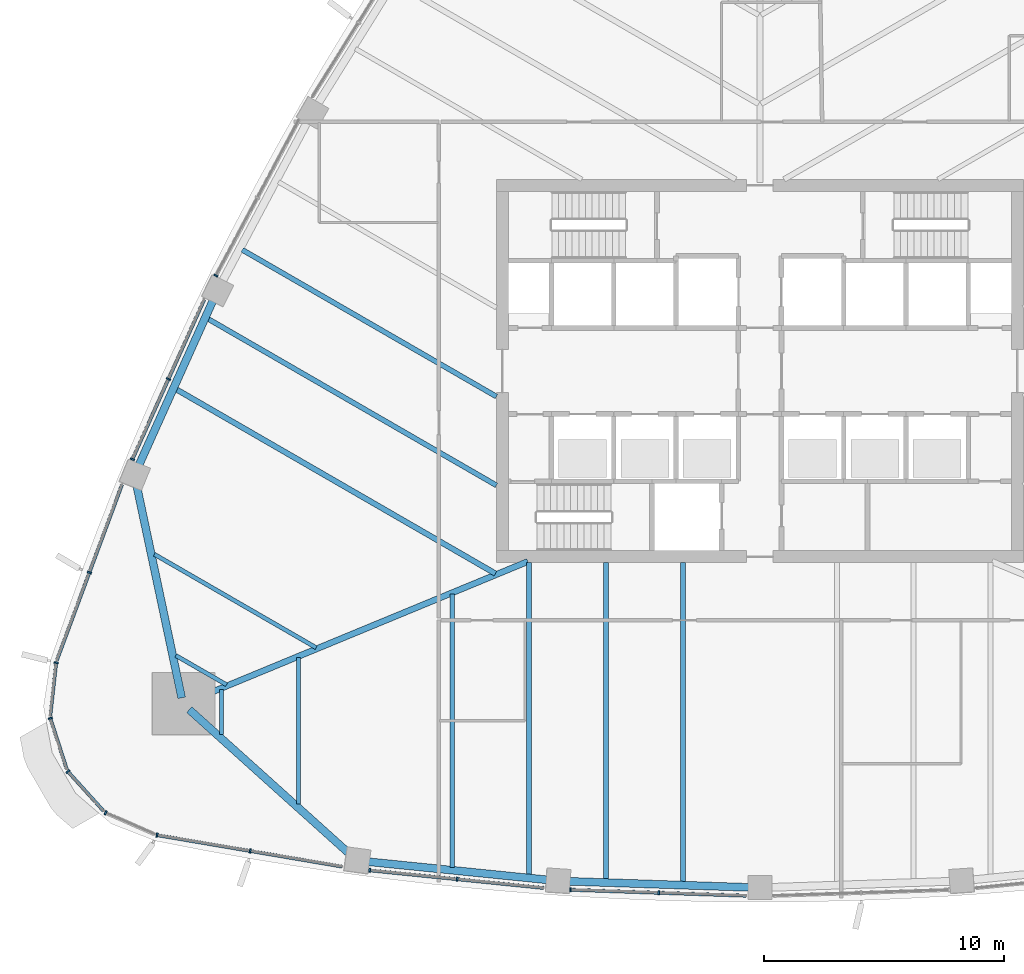
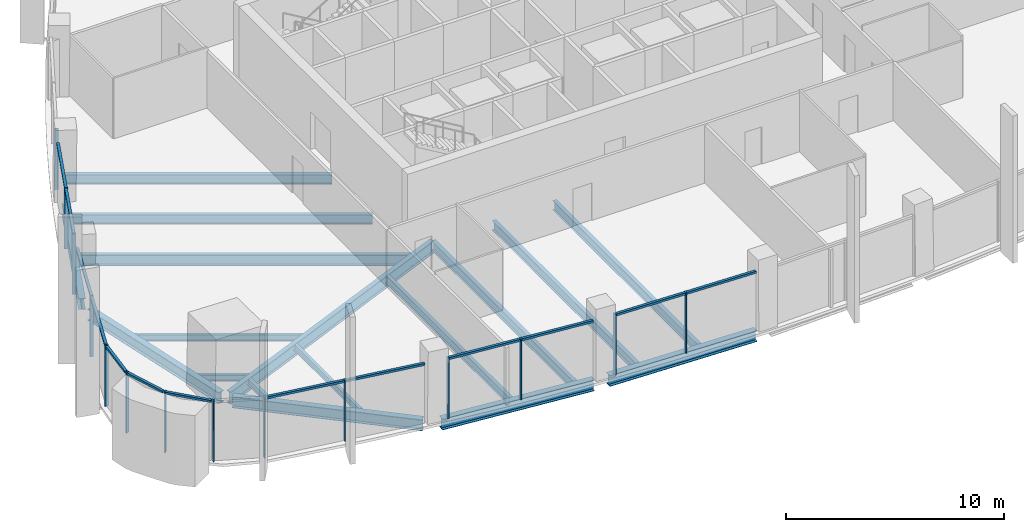
# One storey, part 2 of 20: 27 members, 17 beams, 10 elements without a shape of their own.
"""IFC4 building model written with IfcOpenShell, lengths in metres."""

import ifcopenshell
import ifcopenshell.guid

model = None  # the IFC model being written
_history = None  # IfcOwnerHistory: only IFC2X3 demands one
_inside = {}  # id of a spatial element -> (the spatial element, [elements in it])
_under = {}  # id of a project, library or spatial element -> (it, [spatial elements below it])
_declared = {}  # id of a project -> (the project, [libraries it declares])
_typed = {}  # id of a type object -> (the type object, [elements of that type])
_made_of = {}  # id of a material, layer set ... -> (it, [elements and type objects made of it])


def new_model(schema):
    """Start an empty IFC model of exactly this schema.

    Asked for "IFC4X3", IfcOpenShell would pick the latest addendum, in which some entities
    have other attributes; the version numbers below select the first issue.
    IFC2X3 requires an IfcOwnerHistory on every rooted entity: one is made here for all.
    """
    global model, _history
    if schema == "IFC4X3":
        model = ifcopenshell.file(schema_version=(4, 3, 0, 0))
    else:
        model = ifcopenshell.file(schema=schema)
    _inside.clear()
    _under.clear()
    _declared.clear()
    _typed.clear()
    _made_of.clear()
    _history = None
    if model.schema == "IFC2X3":
        org = make("IfcOrganization", Name="unknown")
        user = make(
            "IfcPersonAndOrganization",
            ThePerson=make("IfcPerson", FamilyName="unknown"),
            TheOrganization=org,
        )
        app = make(
            "IfcApplication",
            ApplicationDeveloper=org,
            Version="unknown",
            ApplicationFullName="unknown",
            ApplicationIdentifier="unknown",
        )
        _history = make(
            "IfcOwnerHistory",
            OwningUser=user,
            OwningApplication=app,
            ChangeAction="ADDED",
            CreationDate=0,
        )
    return model


def make(cls, **values):
    """One entity of the class cls with the attributes given. An attribute that is None is left unset."""
    return model.create_entity(
        cls, **{name: value for name, value in values.items() if value is not None}
    )


def rooted(cls, **values):
    """An entity with a GlobalId (a new one), such as an element, a storey or a relation."""
    return make(cls, GlobalId=ifcopenshell.guid.new(), OwnerHistory=_history, **values)


def si_unit(unit_type, name, prefix=None):
    """IfcSIUnit, for example si_unit("LENGTHUNIT", "METRE", prefix="MILLI")."""
    return make("IfcSIUnit", UnitType=unit_type, Prefix=prefix, Name=name)


def assignment(units):
    """IfcUnitAssignment: the units of a project."""
    return None if units is None else make("IfcUnitAssignment", Units=units)


def point(xyz):
    """IfcCartesianPoint."""
    return None if xyz is None else make("IfcCartesianPoint", Coordinates=xyz)


def direction(xyz):
    """IfcDirection."""
    return None if xyz is None else make("IfcDirection", DirectionRatios=xyz)


def frame(location, z_axis=None, x_axis=None):
    """IfcAxis2Placement3D, a coordinate frame: its origin and axes. An axis left out is left unset."""
    return make(
        "IfcAxis2Placement3D",
        Location=point(location),
        Axis=direction(z_axis),
        RefDirection=direction(x_axis),
    )


def frame_2d(location, x_axis=None):
    """IfcAxis2Placement2D, a coordinate frame in the plane: its origin and x axis."""
    return make(
        "IfcAxis2Placement2D", Location=point(location), RefDirection=direction(x_axis)
    )


def origin():
    """The frame at (0, 0, 0) with its axes left unset."""
    return frame((0.0, 0.0, 0.0))


def origin_2d():
    """The frame at (0, 0) in the plane with its x axis left unset."""
    return frame_2d((0.0, 0.0))


def place(relative_to, where):
    """IfcLocalPlacement: puts the frame where relative to a parent placement (None: the world)."""
    return make(
        "IfcLocalPlacement", PlacementRelTo=relative_to, RelativePlacement=where
    )


def context(
    kind, dimensions, precision=None, world=None, true_north=None, identifier=None
):
    """IfcGeometricRepresentationContext, for example the 3D "Model" context."""
    return make(
        "IfcGeometricRepresentationContext",
        ContextIdentifier=identifier,
        ContextType=kind,
        CoordinateSpaceDimension=dimensions,
        Precision=precision,
        WorldCoordinateSystem=world,
        TrueNorth=true_north,
    )


def subcontext(parent, identifier, kind, view, scale=None):
    """IfcGeometricRepresentationSubContext, for example "Body" below "Model"."""
    return make(
        "IfcGeometricRepresentationSubContext",
        ContextIdentifier=identifier,
        ContextType=kind,
        ParentContext=parent,
        TargetScale=scale,
        TargetView=view,
    )


def project(units=None, contexts=None):
    """IfcProject with its units and contexts."""
    return rooted(
        "IfcProject",
        Name="project",
        RepresentationContexts=contexts,
        UnitsInContext=assignment(units),
    )


def spatial(cls, under=None, at=None, **own):
    """A site, building, storey or space (cls), placed at a placement, below another one or the project."""
    s = rooted(cls, ObjectPlacement=at, **own)
    if under is not None:
        _under.setdefault(under.id(), (under, []))[1].append(s)
    return s


def profile(cls, at=None, kind="AREA", **sizes):
    """A parametric profile (cls). Its sizes go by their IFC names, for example OverallWidth=200.0."""
    return make(cls, ProfileType=kind, Position=at, **sizes)


def rectangle(**sizes):
    """IfcRectangleProfileDef."""
    return profile("IfcRectangleProfileDef", **sizes)


def i_section(**sizes):
    """IfcIShapeProfileDef."""
    return profile("IfcIShapeProfileDef", **sizes)


def extrude(swept, where, along, depth):
    """IfcExtrudedAreaSolid: the profile swept, set in the frame where, extruded along a direction by depth."""
    return make(
        "IfcExtrudedAreaSolid",
        SweptArea=swept,
        Position=where,
        ExtrudedDirection=direction(along),
        Depth=depth,
    )


def shape(context_of_items, identifier, shape_type, items):
    """IfcShapeRepresentation: the items that make up one representation, for example the "Body"."""
    return make(
        "IfcShapeRepresentation",
        ContextOfItems=context_of_items,
        RepresentationIdentifier=identifier,
        RepresentationType=shape_type,
        Items=items,
    )


def material(Name=None, Category=None):
    """IfcMaterial."""
    return make("IfcMaterial", Name=Name, Category=Category)


def layer(
    of_material, thickness, ventilated=None, Name=None, Category=None, Priority=None
):
    """IfcMaterialLayer: one layer of a wall or slab, of a material (None: an air gap)."""
    return make(
        "IfcMaterialLayer",
        Material=of_material,
        LayerThickness=thickness,
        IsVentilated=ventilated,
        Name=Name,
        Category=Category,
        Priority=Priority,
    )


def layer_set(layers, Name=None):
    """IfcMaterialLayerSet."""
    return make("IfcMaterialLayerSet", MaterialLayers=layers, LayerSetName=Name)


def material_profile(
    of_material, cross_section, Name=None, Category=None, Priority=None
):
    """IfcMaterialProfile: a cross section and its material."""
    return make(
        "IfcMaterialProfile",
        Name=Name,
        Material=of_material,
        Profile=cross_section,
        Priority=Priority,
        Category=Category,
    )


def profile_set(profiles, Name=None, composite=None):
    """IfcMaterialProfileSet."""
    return make(
        "IfcMaterialProfileSet",
        Name=Name,
        MaterialProfiles=profiles,
        CompositeProfile=composite,
    )


def made_of(thing, what):
    """Note that an element or type object is made of a material, layer set ...; save() writes the relation."""
    if what is not None:
        _made_of.setdefault(what.id(), (what, []))[1].append(thing)
    return thing


def type_object(cls, material=None, **own):
    """A type object (cls), such as IfcWallType, which elements share."""
    return made_of(rooted(cls, **own), material)


def element(
    cls,
    number,
    at=None,
    inside=None,
    cuts=None,
    type_object=None,
    material=None,
    context=None,
    identifier="Body",
    shape_type=None,
    held_by="IfcProductDefinitionShape",
    body=None,
    shapes=None,
    **own,
):
    """One element of the class cls, such as IfcWall. Its Tag is "e" and its number.

    at: its placement. inside: the storey or other place that contains it. cuts: it is an
    opening in that element (IfcRelVoidsElement). A single representation is given by context,
    identifier, shape_type and body (its items); several are given by shapes. held_by: the class
    of the entity that holds the representations. save() writes the other relations.
    """
    e = rooted(cls, Tag="e%d" % number, ObjectPlacement=at, **own)
    if body is not None:
        shapes = [shape(context, identifier, shape_type, body)]
    if shapes is not None:
        e.Representation = make(held_by, Representations=shapes)
    if inside is not None:
        _inside.setdefault(inside.id(), (inside, []))[1].append(e)
    if cuts is not None:
        rooted(
            "IfcRelVoidsElement", RelatingBuildingElement=cuts, RelatedOpeningElement=e
        )
    if type_object is not None:
        _typed.setdefault(type_object.id(), (type_object, []))[1].append(e)
    return made_of(e, material)


def aggregate(whole, parts):
    """IfcRelAggregates: a whole, such as a stair, and the parts it consists of."""
    return rooted("IfcRelAggregates", RelatingObject=whole, RelatedObjects=parts)


def save(model, path):
    """Write the relations noted so far, then the file.

    IfcRelAggregates (storeys below a building ...), IfcRelContainedInSpatialStructure (elements
    in a storey), IfcRelDefinesByType, IfcRelAssociatesMaterial and IfcRelDeclares: one each for
    every whole, place, type object, material and project.
    """
    for whole, parts in _under.values():
        aggregate(whole, parts)
    for where, things in _inside.values():
        rooted(
            "IfcRelContainedInSpatialStructure",
            RelatedElements=things,
            RelatingStructure=where,
        )
    for kind, things in _typed.values():
        rooted("IfcRelDefinesByType", RelatedObjects=things, RelatingType=kind)
    for what, things in _made_of.values():
        rooted("IfcRelAssociatesMaterial", RelatedObjects=things, RelatingMaterial=what)
    for by, libraries in _declared.values():
        rooted("IfcRelDeclares", RelatingContext=by, RelatedDefinitions=libraries)
    model.write(path)


model = new_model("IFC4")

# Units and contexts
model_context = context("Model", 3, precision=1e-05, world=origin(), true_north=direction((0.0, 1.0)))
body_context = subcontext(model_context, "Body", "Model", "MODEL_VIEW")
ifc_project = project(units=[si_unit("LENGTHUNIT", "METRE"), si_unit("AREAUNIT", "SQUARE_METRE"), si_unit("VOLUMEUNIT", "CUBIC_METRE"), si_unit("PLANEANGLEUNIT", "RADIAN"), si_unit("MASSUNIT", "GRAM", prefix="KILO")], contexts=[model_context])

# Site, building, storey
site_placement = place(None, origin())
site = spatial("IfcSite", under=ifc_project, at=site_placement, CompositionType="ELEMENT")
building_placement = place(site_placement, origin())
building = spatial("IfcBuilding", under=site, at=building_placement, Name="Sierra Prisma Convention Tower", CompositionType="ELEMENT")
storey_placement = place(building_placement, frame((0.0, 0.0, 161.800048828125)))
storey = spatial("IfcBuildingStorey", under=building, at=storey_placement, Name="L35", CompositionType="ELEMENT", Elevation=161.800048828125)

# Curtain wall, members
ifc_material_1 = material(Name="Aluminium and glass curtain wall", Category="aluminium")
ifc_layer = layer(ifc_material_1, 0.179931640625)
ifc_layer_set = layer_set([ifc_layer], Name="CW-1 Plain shaft curtain wall")
curtain_wall_type = type_object("IfcCurtainWallType", Name="CW-1 Plain shaft curtain wall", PredefinedType="NOTDEFINED", material=ifc_layer_set)
curtain_wall_1_placement = place(storey_placement, origin())
curtain_wall_1 = element("IfcCurtainWall", 1, at=curtain_wall_1_placement, inside=storey, type_object=curtain_wall_type, Name="CW-1 S1 L35", PredefinedType="NOTDEFINED")
ifc_material_2 = material(Name="Aluminium 6063-T6 bronze anodised", Category="aluminium")
ifc_material_profile_1 = material_profile(ifc_material_2, rectangle(XDim=0.179931640625, YDim=0.070068359375, at=origin_2d()), Name="ALU MULLION 70x180")
ifc_profile_set_1 = profile_set([ifc_material_profile_1], Name="Aluminium 6063-T6 bronze anodised")
member_type_1 = type_object("IfcMemberType", Name="CW mullion bronze", PredefinedType="MULLION", material=ifc_profile_set_1)
member_1_placement = place(storey_placement, frame((-25.168701171875, -19.375732421875, 0.0), z_axis=(0.0, 0.0, 1.0), x_axis=(0.167547874218, 0.985863940838, 0.0)))
member_1 = element("IfcMember", 2, at=member_1_placement, type_object=member_type_1, Name="CW-1 mullion S1.1", PredefinedType="MULLION", context=body_context, shape_type="SweptSolid", body=[
    extrude(rectangle(XDim=0.179931640625, YDim=0.070068359375, at=origin_2d()), origin(), (0.0, 0.0, 1.0), 3.39990234375),
])
member_2_placement = place(storey_placement, frame((-21.281005859375, -20.03662109375, 0.0), z_axis=(0.0, 0.0, 1.0), x_axis=(0.167547874218, 0.985863940838, 0.0)))
member_2 = element("IfcMember", 3, at=member_2_placement, type_object=member_type_1, Name="CW-1 mullion S1.2", PredefinedType="MULLION", context=body_context, shape_type="SweptSolid", body=[
    extrude(rectangle(XDim=0.179931640625, YDim=0.070068359375, at=origin_2d()), origin(), (0.0, 0.0, 1.0), 3.39990234375),
])

curtain_wall_2_placement = place(storey_placement, origin())
curtain_wall_2 = element("IfcCurtainWall", 4, at=curtain_wall_2_placement, inside=storey, type_object=curtain_wall_type, Name="CW-1 S2 L35", PredefinedType="NOTDEFINED")
member_3_placement = place(storey_placement, frame((-16.2890625, -20.84521484375, 0.0), z_axis=(0.0, 0.0, 1.0), x_axis=(0.100833457322, 0.994903318863, 0.0)))
member_3 = element("IfcMember", 5, at=member_3_placement, type_object=member_type_1, Name="CW-1 mullion S2.1", PredefinedType="MULLION", context=body_context, shape_type="SweptSolid", body=[
    extrude(rectangle(XDim=0.179931640625, YDim=0.070068359375, at=origin_2d()), origin(), (0.0, 0.0, 1.0), 3.39990234375),
])
member_4_placement = place(storey_placement, frame((-12.63671875, -21.215576171875, 0.0), z_axis=(0.0, 0.0, 1.0), x_axis=(0.100833457322, 0.994903318863, 0.0)))
member_4 = element("IfcMember", 6, at=member_4_placement, type_object=member_type_1, Name="CW-1 mullion S2.2", PredefinedType="MULLION", context=body_context, shape_type="SweptSolid", body=[
    extrude(rectangle(XDim=0.179931640625, YDim=0.070068359375, at=origin_2d()), origin(), (0.0, 0.0, 1.0), 3.39990234375),
])

curtain_wall_3_placement = place(storey_placement, origin())
curtain_wall_3 = element("IfcCurtainWall", 7, at=curtain_wall_3_placement, inside=storey, type_object=curtain_wall_type, Name="CW-1 S3 L35", PredefinedType="NOTDEFINED")
member_5_placement = place(storey_placement, frame((-7.90478515625, -21.657958984375, 0.0), z_axis=(0.0, 0.0, 1.0), x_axis=(0.033662010401, 0.999433273939, 0.0)))
member_5 = element("IfcMember", 8, at=member_5_placement, type_object=member_type_1, Name="CW-1 mullion S3.1", PredefinedType="MULLION", context=body_context, shape_type="SweptSolid", body=[
    extrude(rectangle(XDim=0.179931640625, YDim=0.070068359375, at=origin_2d()), origin(), (0.0, 0.0, 1.0), 3.39990234375),
])
member_6_placement = place(storey_placement, frame((-4.2197265625, -21.7822265625, 0.0), z_axis=(0.0, 0.0, 1.0), x_axis=(0.033662010401, 0.999433273939, 0.0)))
member_6 = element("IfcMember", 9, at=member_6_placement, type_object=member_type_1, Name="CW-1 mullion S3.2", PredefinedType="MULLION", context=body_context, shape_type="SweptSolid", body=[
    extrude(rectangle(XDim=0.179931640625, YDim=0.070068359375, at=origin_2d()), origin(), (0.0, 0.0, 1.0), 3.39990234375),
])

# Curtain wall, member
curtain_wall_4_placement = place(storey_placement, origin())
curtain_wall_4 = element("IfcCurtainWall", 10, at=curtain_wall_4_placement, inside=storey, type_object=curtain_wall_type, Name="CW-1 NW4 L35", PredefinedType="NOTDEFINED")
member_7_placement = place(storey_placement, frame((-22.708740234375, 3.9833984375, 0.0), z_axis=(0.0, 0.0, 1.0), x_axis=(0.882365609819, -0.47056448082, 0.0)))
member_7 = element("IfcMember", 11, at=member_7_placement, type_object=member_type_1, Name="CW-1 mullion NW4.3", PredefinedType="MULLION", context=body_context, shape_type="SweptSolid", body=[
    extrude(rectangle(XDim=0.179931640625, YDim=0.070068359375, at=origin_2d()), origin(), (0.0, 0.0, 1.0), 3.39990234375),
])
aggregate(curtain_wall_4, [member_7])

# Curtain wall, members
curtain_wall_5_placement = place(storey_placement, origin())
curtain_wall_5 = element("IfcCurtainWall", 12, at=curtain_wall_5_placement, inside=storey, type_object=curtain_wall_type, Name="CW-1 NW5 L35", PredefinedType="NOTDEFINED")
member_8_placement = place(storey_placement, frame((-24.69140625, -0.3359375, 0.0), z_axis=(0.0, 0.0, 1.0), x_axis=(0.912028277106, -0.410127323839, 0.0)))
member_8 = element("IfcMember", 13, at=member_8_placement, type_object=member_type_1, Name="CW-1 mullion NW5.2", PredefinedType="MULLION", context=body_context, shape_type="SweptSolid", body=[
    extrude(rectangle(XDim=0.179931640625, YDim=0.070068359375, at=origin_2d()), origin(), (0.0, 0.0, 1.0), 3.39990234375),
])
member_9_placement = place(storey_placement, frame((-26.197021484375, -3.68408203125, 0.0), z_axis=(0.0, 0.0, 1.0), x_axis=(0.912028277106, -0.410127323839, 0.0)))
member_9 = element("IfcMember", 14, at=member_9_placement, type_object=member_type_1, Name="CW-1 mullion NW5.3", PredefinedType="MULLION", context=body_context, shape_type="SweptSolid", body=[
    extrude(rectangle(XDim=0.179931640625, YDim=0.070068359375, at=origin_2d()), origin(), (0.0, 0.0, 1.0), 3.39990234375),
])

# Curtain wall, member
curtain_wall_6_placement = place(storey_placement, origin())
curtain_wall_6 = element("IfcCurtainWall", 15, at=curtain_wall_6_placement, inside=storey, type_object=curtain_wall_type, Name="CW-1 NW6 L35", PredefinedType="NOTDEFINED")
member_10_placement = place(storey_placement, frame((-27.99267578125, -8.41162109375, 0.0), z_axis=(0.0, 0.0, 1.0), x_axis=(0.93755715455, -0.347831254997, 0.0)))
member_10 = element("IfcMember", 16, at=member_10_placement, type_object=member_type_1, Name="CW-1 mullion NW6.2", PredefinedType="MULLION", context=body_context, shape_type="SweptSolid", body=[
    extrude(rectangle(XDim=0.179931640625, YDim=0.070068359375, at=origin_2d()), origin(), (0.0, 0.0, 1.0), 3.39990234375),
])

curtain_wall_7_placement = place(storey_placement, origin())
curtain_wall_7 = element("IfcCurtainWall", 17, at=curtain_wall_7_placement, inside=storey, type_object=curtain_wall_type, Name="CW-1 SW1 L35", PredefinedType="NOTDEFINED")
member_11_placement = place(storey_placement, frame((-29.38037109375, -12.17626953125, 0.0), z_axis=(0.0, 0.0, 1.0), x_axis=(0.993924031269, -0.110068251851, 0.0)))
member_11 = element("IfcMember", 18, at=member_11_placement, type_object=member_type_1, Name="CW-1 mullion SW1.1", PredefinedType="MULLION", context=body_context, shape_type="SweptSolid", body=[
    extrude(rectangle(XDim=0.179931640625, YDim=0.070068359375, at=origin_2d()), origin(), (0.0, 0.0, 1.0), 3.39990234375),
])

curtain_wall_8_placement = place(storey_placement, origin())
curtain_wall_8 = element("IfcCurtainWall", 19, at=curtain_wall_8_placement, inside=storey, type_object=curtain_wall_type, Name="CW-1 SW2 L35", PredefinedType="NOTDEFINED")
member_12_placement = place(storey_placement, frame((-29.623291015625, -14.500732421875, 0.0), z_axis=(0.0, 0.0, 1.0), x_axis=(0.951628819389, 0.307250044928, 0.0)))
member_12 = element("IfcMember", 20, at=member_12_placement, type_object=member_type_1, Name="CW-1 mullion SW2.1", PredefinedType="MULLION", context=body_context, shape_type="SweptSolid", body=[
    extrude(rectangle(XDim=0.179931640625, YDim=0.070068359375, at=origin_2d()), origin(), (0.0, 0.0, 1.0), 3.39990234375),
])

curtain_wall_9_placement = place(storey_placement, origin())
curtain_wall_9 = element("IfcCurtainWall", 21, at=curtain_wall_9_placement, inside=storey, type_object=curtain_wall_type, Name="CW-1 SW3 L35", PredefinedType="NOTDEFINED")
member_13_placement = place(storey_placement, frame((-28.8916015625, -16.719970703125, 0.0), z_axis=(0.0, 0.0, 1.0), x_axis=(0.741900753916, 0.670509710101, 0.0)))
member_13 = element("IfcMember", 22, at=member_13_placement, type_object=member_type_1, Name="CW-1 mullion SW3.1", PredefinedType="MULLION", context=body_context, shape_type="SweptSolid", body=[
    extrude(rectangle(XDim=0.179931640625, YDim=0.070068359375, at=origin_2d()), origin(), (0.0, 0.0, 1.0), 3.39990234375),
])

curtain_wall_10_placement = place(storey_placement, origin())
curtain_wall_10 = element("IfcCurtainWall", 23, at=curtain_wall_10_placement, inside=storey, type_object=curtain_wall_type, Name="CW-1 SW4 L35", PredefinedType="NOTDEFINED")
member_14_placement = place(storey_placement, frame((-27.31396484375, -18.444091796875, 0.0), z_axis=(0.0, 0.0, 1.0), x_axis=(0.401640113381, 0.915797586437, 0.0)))
member_14 = element("IfcMember", 24, at=member_14_placement, type_object=member_type_1, Name="CW-1 mullion SW4.1", PredefinedType="MULLION", context=body_context, shape_type="SweptSolid", body=[
    extrude(rectangle(XDim=0.179931640625, YDim=0.070068359375, at=origin_2d()), origin(), (0.0, 0.0, 1.0), 3.39990234375),
])
aggregate(curtain_wall_10, [member_14])

# Member
ifc_material_3 = material(Name="Aluminium 6063-T6 bronze anodised", Category="aluminium")
ifc_material_profile_2 = material_profile(ifc_material_3, rectangle(XDim=0.139892578125, YDim=0.1201171875, at=origin_2d()), Name="ALU TRANSOM 120x140")
ifc_profile_set_2 = profile_set([ifc_material_profile_2], Name="Aluminium 6063-T6 bronze anodised")
member_type_2 = type_object("IfcMemberType", Name="CW transom bronze", PredefinedType="USERDEFINED", material=ifc_profile_set_2)
member_15_placement = place(storey_placement, frame((-25.134033203125, -19.381591796875, 3.33984375), z_axis=(0.985855534243, -0.167597331728, 0.0), x_axis=(0.167597331728, 0.985855534243, 0.0)))
member_15 = element("IfcMember", 25, at=member_15_placement, type_object=member_type_2, Name="CW-1 transom S1.1", ObjectType="TRANSOM", PredefinedType="USERDEFINED", context=body_context, shape_type="SweptSolid", body=[
    extrude(rectangle(XDim=0.139892578125, YDim=0.1201171875, at=origin_2d()), origin(), (0.0, 0.0, 1.0), 3.873291015625),
])

member_16_placement = place(storey_placement, frame((-21.246337890625, -20.04248046875, 3.33984375), z_axis=(0.985865946727, -0.167536070993, 0.0), x_axis=(0.167536070993, 0.985865946727, 0.0)))
member_16 = element("IfcMember", 26, at=member_16_placement, type_object=member_type_2, Name="CW-1 transom S1.2", ObjectType="TRANSOM", PredefinedType="USERDEFINED", context=body_context, shape_type="SweptSolid", body=[
    extrude(rectangle(XDim=0.139892578125, YDim=0.1201171875, at=origin_2d()), origin(), (0.0, 0.0, 1.0), 3.873291015625),
])

aggregate(curtain_wall_1, [member_1, member_2, member_15, member_16])

member_17_placement = place(storey_placement, frame((-16.25439453125, -20.848876953125, 3.33984375), z_axis=(0.994905436132, -0.100812564465, 0.0), x_axis=(0.100812564465, 0.994905436132, 0.0)))
member_17 = element("IfcMember", 27, at=member_17_placement, type_object=member_type_2, Name="CW-1 transom S2.1", ObjectType="TRANSOM", PredefinedType="USERDEFINED", context=body_context, shape_type="SweptSolid", body=[
    extrude(rectangle(XDim=0.139892578125, YDim=0.1201171875, at=origin_2d()), origin(), (0.0, 0.0, 1.0), 3.60107421875),
])

member_18_placement = place(storey_placement, frame((-12.601806640625, -21.218994140625, 3.33984375), z_axis=(0.994905436132, -0.100812564465, 0.0), x_axis=(0.100812564465, 0.994905436132, 0.0)))
member_18 = element("IfcMember", 28, at=member_18_placement, type_object=member_type_2, Name="CW-1 transom S2.2", ObjectType="TRANSOM", PredefinedType="USERDEFINED", context=body_context, shape_type="SweptSolid", body=[
    extrude(rectangle(XDim=0.139892578125, YDim=0.1201171875, at=origin_2d()), origin(), (0.0, 0.0, 1.0), 3.60107421875),
])

aggregate(curtain_wall_2, [member_3, member_4, member_17, member_18])

member_19_placement = place(storey_placement, frame((-7.869873046875, -21.6591796875, 3.33984375), z_axis=(0.999432705462, -0.033678884389, 0.0), x_axis=(0.033678884389, 0.999432705462, 0.0)))
member_19 = element("IfcMember", 29, at=member_19_placement, type_object=member_type_2, Name="CW-1 transom S3.1", ObjectType="TRANSOM", PredefinedType="USERDEFINED", context=body_context, shape_type="SweptSolid", body=[
    extrude(rectangle(XDim=0.139892578125, YDim=0.1201171875, at=origin_2d()), origin(), (0.0, 0.0, 1.0), 3.6171875),
])

member_20_placement = place(storey_placement, frame((-4.184814453125, -21.783447265625, 3.33984375), z_axis=(0.999434974984, -0.033611467959, 0.0), x_axis=(0.033611467959, 0.999434974984, 0.0)))
member_20 = element("IfcMember", 30, at=member_20_placement, type_object=member_type_2, Name="CW-1 transom S3.2", ObjectType="TRANSOM", PredefinedType="USERDEFINED", context=body_context, shape_type="SweptSolid", body=[
    extrude(rectangle(XDim=0.139892578125, YDim=0.1201171875, at=origin_2d()), origin(), (0.0, 0.0, 1.0), 3.6171875),
])

aggregate(curtain_wall_3, [member_5, member_6, member_19, member_20])

member_21_placement = place(storey_placement, frame((-23.2001953125, 2.980224609375, 3.33984375), z_axis=(-0.410172975595, -0.912007746728, 0.0), x_axis=(0.912007746728, -0.410172975595, 0.0)))
member_21 = element("IfcMember", 31, at=member_21_placement, type_object=member_type_2, Name="CW-1 transom NW5.1", ObjectType="TRANSOM", PredefinedType="USERDEFINED", context=body_context, shape_type="SweptSolid", body=[
    extrude(rectangle(XDim=0.139892578125, YDim=0.1201171875, at=origin_2d()), origin(), (0.0, 0.0, 1.0), 3.60107421875),
])

member_22_placement = place(storey_placement, frame((-24.705810546875, -0.367919921875, 3.33984375), z_axis=(-0.410172975595, -0.912007746728, 0.0), x_axis=(0.912007746728, -0.410172975595, 0.0)))
member_22 = element("IfcMember", 32, at=member_22_placement, type_object=member_type_2, Name="CW-1 transom NW5.2", ObjectType="TRANSOM", PredefinedType="USERDEFINED", context=body_context, shape_type="SweptSolid", body=[
    extrude(rectangle(XDim=0.139892578125, YDim=0.1201171875, at=origin_2d()), origin(), (0.0, 0.0, 1.0), 3.60107421875),
])

aggregate(curtain_wall_5, [member_8, member_9, member_21, member_22])

member_23_placement = place(storey_placement, frame((-26.633056640625, -4.747314453125, 3.33984375), z_axis=(-0.34787474058, -0.937541020365, 0.0), x_axis=(0.937541020365, -0.34787474058, 0.0)))
member_23 = element("IfcMember", 33, at=member_23_placement, type_object=member_type_2, Name="CW-1 transom NW6.1", ObjectType="TRANSOM", PredefinedType="USERDEFINED", context=body_context, shape_type="SweptSolid", body=[
    extrude(rectangle(XDim=0.139892578125, YDim=0.1201171875, at=origin_2d()), origin(), (0.0, 0.0, 1.0), 3.873291015625),
])

member_24_placement = place(storey_placement, frame((-28.0048828125, -8.4443359375, 3.33984375), z_axis=(-0.34779878026, -0.937569201952, 0.0), x_axis=(0.937569201952, -0.34779878026, 0.0)))
member_24 = element("IfcMember", 34, at=member_24_placement, type_object=member_type_2, Name="CW-1 transom NW6.2", ObjectType="TRANSOM", PredefinedType="USERDEFINED", context=body_context, shape_type="SweptSolid", body=[
    extrude(rectangle(XDim=0.139892578125, YDim=0.1201171875, at=origin_2d()), origin(), (0.0, 0.0, 1.0), 3.873291015625),
])

aggregate(curtain_wall_6, [member_10, member_23, member_24])

member_25_placement = place(storey_placement, frame((-29.384033203125, -12.211181640625, 3.33984375), z_axis=(-0.110090464338, -0.993921571182, 0.0), x_axis=(0.993921571182, -0.110090464338, 0.0)))
member_25 = element("IfcMember", 35, at=member_25_placement, type_object=member_type_2, Name="CW-1 transom SW1.1", ObjectType="TRANSOM", PredefinedType="USERDEFINED", context=body_context, shape_type="SweptSolid", body=[
    extrude(rectangle(XDim=0.139892578125, YDim=0.1201171875, at=origin_2d()), origin(), (0.0, 0.0, 1.0), 2.199951171875),
])

aggregate(curtain_wall_7, [member_11, member_25])

member_26_placement = place(storey_placement, frame((-29.612548828125, -14.533935546875, 3.33984375), z_axis=(0.307291344121, -0.951615484231, 0.0), x_axis=(0.951615484231, 0.307291344121, 0.0)))
member_26 = element("IfcMember", 36, at=member_26_placement, type_object=member_type_2, Name="CW-1 transom SW2.1", ObjectType="TRANSOM", PredefinedType="USERDEFINED", context=body_context, shape_type="SweptSolid", body=[
    extrude(rectangle(XDim=0.139892578125, YDim=0.1201171875, at=origin_2d()), origin(), (0.0, 0.0, 1.0), 2.199951171875),
])

aggregate(curtain_wall_8, [member_12, member_26])

member_27_placement = place(storey_placement, frame((-28.8681640625, -16.74609375, 3.33984375), z_axis=(0.670526748458, -0.741885354757, 0.0), x_axis=(0.741885354757, 0.670526748458, 0.0)))
member_27 = element("IfcMember", 37, at=member_27_placement, type_object=member_type_2, Name="CW-1 transom SW3.1", ObjectType="TRANSOM", PredefinedType="USERDEFINED", context=body_context, shape_type="SweptSolid", body=[
    extrude(rectangle(XDim=0.139892578125, YDim=0.1201171875, at=origin_2d()), origin(), (0.0, 0.0, 1.0), 2.199951171875),
])

aggregate(curtain_wall_9, [member_13, member_27])

# Beams
ifc_material_4 = material(Name="Steel ASTM A992 Gr 50", Category="steel")
ifc_material_profile_3 = material_profile(ifc_material_4, i_section(OverallWidth=0.172119140625, OverallDepth=0.35791015625, WebThickness=0.0078125, FlangeThickness=0.01318359375, at=origin_2d()), Name="W360x57")
ifc_profile_set_3 = profile_set([ifc_material_profile_3], Name="Steel ASTM A992 Gr 50")
beam_type_1 = type_object("IfcBeamType", Name="Floor joist W360x57", PredefinedType="JOIST", material=ifc_profile_set_3)
beam_1_placement = place(storey_placement, frame((-22.478271484375, -15.180419921875, -0.3291015625), z_axis=(0.0, 1.0, 0.0), x_axis=(-1.0, 0.0, 0.0)))
element("IfcBeam", 38, at=beam_1_placement, inside=storey, type_object=beam_type_1, Name="Floor joist L35 S01", PredefinedType="JOIST", context=body_context, shape_type="SweptSolid", body=[
    extrude(i_section(OverallWidth=0.172119140625, OverallDepth=0.35791015625, WebThickness=0.0078125, FlangeThickness=0.01318359375, at=origin_2d()), origin(), (0.0, 0.0, 1.0), 1.88427734375),
])
beam_2_placement = place(storey_placement, frame((-19.26708984375, -18.069091796875, -0.3291015625), z_axis=(0.0, 1.0, 0.0), x_axis=(-1.0, 0.0, 0.0)))
element("IfcBeam", 39, at=beam_2_placement, inside=storey, type_object=beam_type_1, Name="Floor joist L35 S02", PredefinedType="JOIST", context=body_context, shape_type="SweptSolid", body=[
    extrude(i_section(OverallWidth=0.172119140625, OverallDepth=0.35791015625, WebThickness=0.0078125, FlangeThickness=0.01318359375, at=origin_2d()), origin(), (0.0, 0.0, 1.0), 6.1005859375),
])
beam_3_placement = place(storey_placement, frame((-25.281982421875, -7.651123046875, -0.3291015625), z_axis=(0.866027689687, -0.49999604068, 0.0), x_axis=(0.49999604068, 0.866027689687, 0.0)))
element("IfcBeam", 40, at=beam_3_placement, inside=storey, type_object=beam_type_1, Name="Floor joist L35 NW14", PredefinedType="JOIST", context=body_context, shape_type="SweptSolid", body=[
    extrude(i_section(OverallWidth=0.172119140625, OverallDepth=0.35791015625, WebThickness=0.0078125, FlangeThickness=0.01318359375, at=origin_2d()), origin(), (0.0, 0.0, 1.0), 7.8017578125),
])
beam_4_placement = place(storey_placement, frame((-24.385986328125, -11.87646484375, -0.3291015625), z_axis=(0.86604760459, -0.499961545105, 0.0), x_axis=(0.499961545105, 0.86604760459, 0.0)))
element("IfcBeam", 41, at=beam_4_placement, inside=storey, type_object=beam_type_1, Name="Floor joist L35 NW15", PredefinedType="JOIST", context=body_context, shape_type="SweptSolid", body=[
    extrude(i_section(OverallWidth=0.172119140625, OverallDepth=0.35791015625, WebThickness=0.0078125, FlangeThickness=0.01318359375, at=origin_2d()), origin(), (0.0, 0.0, 1.0), 2.445556640625),
])
ifc_material_5 = material(Name="Steel ASTM A992 Gr 50", Category="steel")
ifc_material_profile_4 = material_profile(ifc_material_5, i_section(OverallWidth=0.18994140625, OverallDepth=0.45703125, WebThickness=0.009033203125, FlangeThickness=0.014404296875, at=origin_2d()), Name="W460x74")
ifc_profile_set_4 = profile_set([ifc_material_profile_4], Name="Steel ASTM A992 Gr 50")
beam_type_2 = type_object("IfcBeamType", Name="Floor joist W460x74", PredefinedType="JOIST", material=ifc_profile_set_4)
beam_5_placement = place(storey_placement, frame((-12.8447265625, -20.7294921875, -0.378662109375), z_axis=(0.0, 1.0, 0.0), x_axis=(-1.0, 0.0, 0.0)))
element("IfcBeam", 42, at=beam_5_placement, inside=storey, type_object=beam_type_2, Name="Floor joist L35 S04", PredefinedType="JOIST", context=body_context, shape_type="SweptSolid", body=[
    extrude(i_section(OverallWidth=0.18994140625, OverallDepth=0.45703125, WebThickness=0.009033203125, FlangeThickness=0.014404296875, at=origin_2d()), origin(), (0.0, 0.0, 1.0), 11.415771484375),
])
ifc_material_6 = material(Name="Steel ASTM A992 Gr 50", Category="steel")
ifc_material_profile_5 = material_profile(ifc_material_6, i_section(OverallWidth=0.208984375, OverallDepth=0.532958984375, WebThickness=0.01025390625, FlangeThickness=0.015625, at=origin_2d()), Name="W530x92")
ifc_profile_set_5 = profile_set([ifc_material_profile_5], Name="Steel ASTM A992 Gr 50")
beam_type_3 = type_object("IfcBeamType", Name="Floor joist W530x92", PredefinedType="JOIST", material=ifc_profile_set_5)
beam_6_placement = place(storey_placement, frame((-9.633544921875, -21.054931640625, -0.41650390625), z_axis=(0.0, 1.0, 0.0), x_axis=(-1.0, 0.0, 0.0)))
element("IfcBeam", 43, at=beam_6_placement, inside=storey, type_object=beam_type_3, Name="Floor joist L35 S05", PredefinedType="JOIST", context=body_context, shape_type="SweptSolid", body=[
    extrude(i_section(OverallWidth=0.208984375, OverallDepth=0.532958984375, WebThickness=0.01025390625, FlangeThickness=0.015625, at=origin_2d()), origin(), (0.0, 0.0, 1.0), 13.054931640625),
])
beam_7_placement = place(storey_placement, frame((-6.42236328125, -21.245361328125, -0.41650390625), z_axis=(0.0, 1.0, 0.0), x_axis=(-1.0, 0.0, 0.0)))
element("IfcBeam", 44, at=beam_7_placement, inside=storey, type_object=beam_type_3, Name="Floor joist L35 S06", PredefinedType="JOIST", context=body_context, shape_type="SweptSolid", body=[
    extrude(i_section(OverallWidth=0.208984375, OverallDepth=0.532958984375, WebThickness=0.01025390625, FlangeThickness=0.015625, at=origin_2d()), origin(), (0.0, 0.0, 1.0), 13.245361328125),
])
beam_8_placement = place(storey_placement, frame((-3.211181640625, -21.353515625, -0.41650390625), z_axis=(0.0, 1.0, 0.0), x_axis=(-1.0, 0.0, 0.0)))
element("IfcBeam", 45, at=beam_8_placement, inside=storey, type_object=beam_type_3, Name="Floor joist L35 S07", PredefinedType="JOIST", context=body_context, shape_type="SweptSolid", body=[
    extrude(i_section(OverallWidth=0.208984375, OverallDepth=0.532958984375, WebThickness=0.01025390625, FlangeThickness=0.015625, at=origin_2d()), origin(), (0.0, 0.0, 1.0), 13.353515625),
])
beam_9_placement = place(storey_placement, frame((-21.610107421875, 5.060791015625, -0.41650390625), z_axis=(0.866025967667, -0.499999023326, 0.0), x_axis=(0.499999023326, 0.866025967667, 0.0)))
element("IfcBeam", 46, at=beam_9_placement, inside=storey, type_object=beam_type_3, Name="Floor joist L35 NW10", PredefinedType="JOIST", context=body_context, shape_type="SweptSolid", body=[
    extrude(i_section(OverallWidth=0.208984375, OverallDepth=0.532958984375, WebThickness=0.01025390625, FlangeThickness=0.015625, at=origin_2d()), origin(), (0.0, 0.0, 1.0), 12.25146484375),
])
beam_10_placement = place(storey_placement, frame((-23.05078125, 2.1845703125, -0.41650390625), z_axis=(0.866025474342, -0.499999877791, 0.0), x_axis=(0.499999877791, 0.866025474342, 0.0)))
element("IfcBeam", 47, at=beam_10_placement, inside=storey, type_object=beam_type_3, Name="Floor joist L35 NW11", PredefinedType="JOIST", context=body_context, shape_type="SweptSolid", body=[
    extrude(i_section(OverallWidth=0.208984375, OverallDepth=0.532958984375, WebThickness=0.01025390625, FlangeThickness=0.015625, at=origin_2d()), origin(), (0.0, 0.0, 1.0), 13.9150390625),
])
ifc_material_7 = material(Name="Steel ASTM A992 Gr 50", Category="steel")
ifc_material_profile_6 = material_profile(ifc_material_7, i_section(OverallWidth=0.22802734375, OverallDepth=0.60302734375, WebThickness=0.010498046875, FlangeThickness=0.014892578125, at=origin_2d()), Name="W610x101")
ifc_profile_set_6 = profile_set([ifc_material_profile_6], Name="Steel ASTM A992 Gr 50")
beam_type_4 = type_object("IfcBeamType", Name="Floor joist W610x101", PredefinedType="JOIST", material=ifc_profile_set_6)
beam_11_placement = place(storey_placement, frame((-24.37451171875, -0.759033203125, -0.45166015625), z_axis=(0.866019496622, -0.500010231365, 0.0), x_axis=(0.500010231365, 0.866019496622, 0.0)))
element("IfcBeam", 48, at=beam_11_placement, inside=storey, type_object=beam_type_4, Name="Floor joist L35 NW12", PredefinedType="JOIST", context=body_context, shape_type="SweptSolid", body=[
    extrude(i_section(OverallWidth=0.22802734375, OverallDepth=0.60302734375, WebThickness=0.010498046875, FlangeThickness=0.014892578125, at=origin_2d()), origin(), (0.0, 0.0, 1.0), 15.397216796875),
])
ifc_material_8 = material(Name="Steel ASTM A992 Gr 50", Category="steel")
ifc_material_profile_7 = material_profile(ifc_material_8, i_section(OverallWidth=0.25390625, OverallDepth=0.68408203125, WebThickness=0.012451171875, FlangeThickness=0.018798828125, at=origin_2d()), Name="W690x140")
ifc_profile_set_7 = profile_set([ifc_material_profile_7], Name="Steel ASTM A992 Gr 50")
beam_type_5 = type_object("IfcBeamType", Name="Radial girder W690x140", PredefinedType="BEAM", material=ifc_profile_set_7)
beam_12_placement = place(storey_placement, frame((-23.82373046875, -13.79736328125, -0.491943359375), z_axis=(0.924143962041, 0.382044418128, 0.0), x_axis=(-0.382044418128, 0.924143962041, 0.0)))
element("IfcBeam", 49, at=beam_12_placement, inside=storey, type_object=beam_type_5, Name="Radial girder L35 SW", PredefinedType="BEAM", context=body_context, shape_type="SweptSolid", body=[
    extrude(i_section(OverallWidth=0.25390625, OverallDepth=0.68408203125, WebThickness=0.012451171875, FlangeThickness=0.018798828125, at=origin_2d()), origin(), (0.0, 0.0, 1.0), 15.294677734375),
])
ifc_material_9 = material(Name="Steel ASTM A992 Gr 50", Category="steel")
ifc_material_profile_8 = material_profile(ifc_material_9, i_section(OverallWidth=0.324951171875, OverallDepth=0.615966796875, WebThickness=0.013916015625, FlangeThickness=0.021484375, at=origin_2d()), Name="W610x174")
ifc_profile_set_8 = profile_set([ifc_material_profile_8], Name="Steel ASTM A992 Gr 50")
beam_type_6 = type_object("IfcBeamType", Name="Spandrel beam W610x174", PredefinedType="BEAM", material=ifc_profile_set_8)
beam_13_placement = place(storey_placement, frame((-23.82373046875, -14.138671875, -0.4580078125), z_axis=(0.743450334747, -0.66879114809, 0.0), x_axis=(0.66879114809, 0.743450334747, 0.0)))
element("IfcBeam", 50, at=beam_13_placement, inside=storey, type_object=beam_type_6, Name="Spandrel L35-01", PredefinedType="BEAM", context=body_context, shape_type="SweptSolid", body=[
    extrude(i_section(OverallWidth=0.324951171875, OverallDepth=0.615966796875, WebThickness=0.013916015625, FlangeThickness=0.021484375, at=origin_2d()), origin(), (0.0, 0.0, 1.0), 8.93701171875),
])
for number, where, z_axis, x_axis, name in (
    (51, (-16.4404296875, -20.478271484375, -0.4580078125), (0.994903033601, -0.1008362719, 0.0), (0.1008362719, 0.994903033601, 0.0), "Spandrel L35-02"),
    (52, (-8.04833984375, -21.30322265625, -0.4580078125), (0.999433155767, -0.033665518762, 0.0), (0.033665518762, 0.999433155767, 0.0), "Spandrel L35-03"),
):
    element("IfcBeam", number, at=place(storey_placement, frame(where, z_axis=z_axis, x_axis=x_axis)), inside=storey, type_object=beam_type_6, Name=name, PredefinedType="BEAM", context=body_context, shape_type="SweptSolid", body=[
        extrude(i_section(OverallWidth=0.324951171875, OverallDepth=0.615966796875, WebThickness=0.013916015625, FlangeThickness=0.021484375, at=origin_2d()), origin(), (0.0, 0.0, 1.0), 7.672607421875),
    ])
beam_14_placement = place(storey_placement, frame((-22.808349609375, 2.9990234375, -0.4580078125), z_axis=(-0.410117253312, -0.912032805625, 0.0), x_axis=(0.912032805625, -0.410117253312, 0.0)))
element("IfcBeam", 53, at=beam_14_placement, inside=storey, type_object=beam_type_6, Name="Spandrel L35-17", PredefinedType="BEAM", context=body_context, shape_type="SweptSolid", body=[
    extrude(i_section(OverallWidth=0.324951171875, OverallDepth=0.615966796875, WebThickness=0.013916015625, FlangeThickness=0.021484375, at=origin_2d()), origin(), (0.0, 0.0, 1.0), 7.6728515625),
])
beam_15_placement = place(storey_placement, frame((-26.010498046875, -4.81982421875, -0.4580078125), z_axis=(0.207464184579, -0.978242614139, 0.0), x_axis=(0.978242614139, 0.207464184579, 0.0)))
element("IfcBeam", 54, at=beam_15_placement, inside=storey, type_object=beam_type_6, Name="Spandrel L35-18", PredefinedType="BEAM", context=body_context, shape_type="SweptSolid", body=[
    extrude(i_section(OverallWidth=0.324951171875, OverallDepth=0.615966796875, WebThickness=0.013916015625, FlangeThickness=0.021484375, at=origin_2d()), origin(), (0.0, 0.0, 1.0), 9.021240234375),
])

save(model, "model.ifc")
